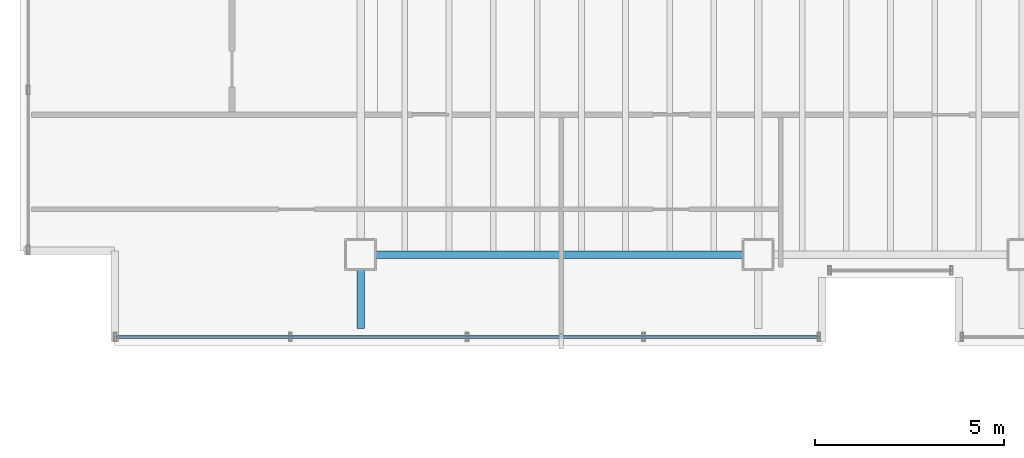
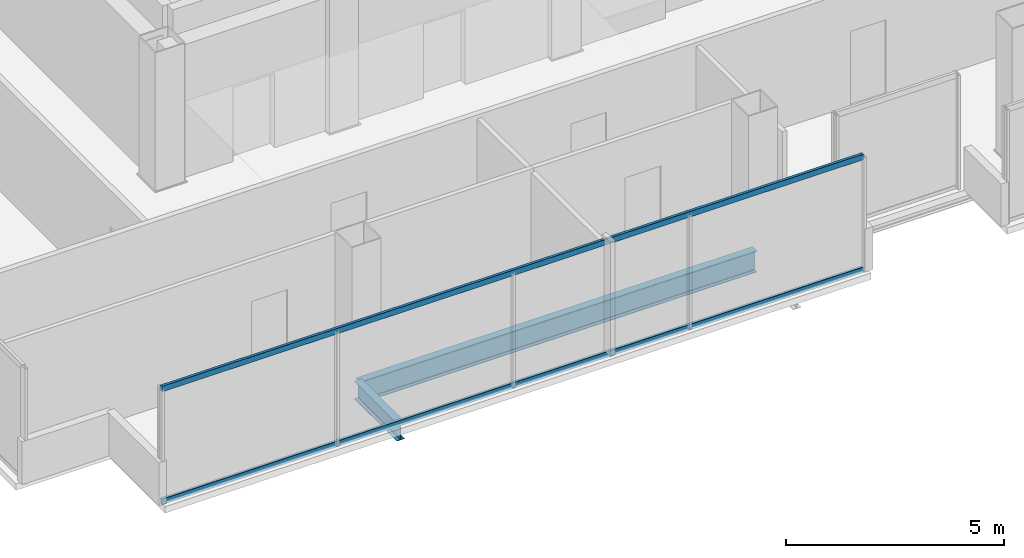
# One storey, part 3 of 17: 2 beams, 2 members, 1 element without a shape of its own.
"""IFC4 building model written with IfcOpenShell, lengths in metres."""

import ifcopenshell
import ifcopenshell.guid

model = None  # the IFC model being written
_history = None  # IfcOwnerHistory: only IFC2X3 demands one
_inside = {}  # id of a spatial element -> (the spatial element, [elements in it])
_under = {}  # id of a project, library or spatial element -> (it, [spatial elements below it])
_declared = {}  # id of a project -> (the project, [libraries it declares])
_typed = {}  # id of a type object -> (the type object, [elements of that type])
_made_of = {}  # id of a material, layer set ... -> (it, [elements and type objects made of it])


def new_model(schema):
    """Start an empty IFC model of exactly this schema.

    Asked for "IFC4X3", IfcOpenShell would pick the latest addendum, in which some entities
    have other attributes; the version numbers below select the first issue.
    IFC2X3 requires an IfcOwnerHistory on every rooted entity: one is made here for all.
    """
    global model, _history
    if schema == "IFC4X3":
        model = ifcopenshell.file(schema_version=(4, 3, 0, 0))
    else:
        model = ifcopenshell.file(schema=schema)
    _inside.clear()
    _under.clear()
    _declared.clear()
    _typed.clear()
    _made_of.clear()
    _history = None
    if model.schema == "IFC2X3":
        org = make("IfcOrganization", Name="unknown")
        user = make(
            "IfcPersonAndOrganization",
            ThePerson=make("IfcPerson", FamilyName="unknown"),
            TheOrganization=org,
        )
        app = make(
            "IfcApplication",
            ApplicationDeveloper=org,
            Version="unknown",
            ApplicationFullName="unknown",
            ApplicationIdentifier="unknown",
        )
        _history = make(
            "IfcOwnerHistory",
            OwningUser=user,
            OwningApplication=app,
            ChangeAction="ADDED",
            CreationDate=0,
        )
    return model


def make(cls, **values):
    """One entity of the class cls with the attributes given. An attribute that is None is left unset."""
    return model.create_entity(
        cls, **{name: value for name, value in values.items() if value is not None}
    )


def rooted(cls, **values):
    """An entity with a GlobalId (a new one), such as an element, a storey or a relation."""
    return make(cls, GlobalId=ifcopenshell.guid.new(), OwnerHistory=_history, **values)


def si_unit(unit_type, name, prefix=None):
    """IfcSIUnit, for example si_unit("LENGTHUNIT", "METRE", prefix="MILLI")."""
    return make("IfcSIUnit", UnitType=unit_type, Prefix=prefix, Name=name)


def assignment(units):
    """IfcUnitAssignment: the units of a project."""
    return None if units is None else make("IfcUnitAssignment", Units=units)


def point(xyz):
    """IfcCartesianPoint."""
    return None if xyz is None else make("IfcCartesianPoint", Coordinates=xyz)


def direction(xyz):
    """IfcDirection."""
    return None if xyz is None else make("IfcDirection", DirectionRatios=xyz)


def frame(location, z_axis=None, x_axis=None):
    """IfcAxis2Placement3D, a coordinate frame: its origin and axes. An axis left out is left unset."""
    return make(
        "IfcAxis2Placement3D",
        Location=point(location),
        Axis=direction(z_axis),
        RefDirection=direction(x_axis),
    )


def frame_2d(location, x_axis=None):
    """IfcAxis2Placement2D, a coordinate frame in the plane: its origin and x axis."""
    return make(
        "IfcAxis2Placement2D", Location=point(location), RefDirection=direction(x_axis)
    )


def origin():
    """The frame at (0, 0, 0) with its axes left unset."""
    return frame((0.0, 0.0, 0.0))


def origin_2d():
    """The frame at (0, 0) in the plane with its x axis left unset."""
    return frame_2d((0.0, 0.0))


def place(relative_to, where):
    """IfcLocalPlacement: puts the frame where relative to a parent placement (None: the world)."""
    return make(
        "IfcLocalPlacement", PlacementRelTo=relative_to, RelativePlacement=where
    )


def context(
    kind, dimensions, precision=None, world=None, true_north=None, identifier=None
):
    """IfcGeometricRepresentationContext, for example the 3D "Model" context."""
    return make(
        "IfcGeometricRepresentationContext",
        ContextIdentifier=identifier,
        ContextType=kind,
        CoordinateSpaceDimension=dimensions,
        Precision=precision,
        WorldCoordinateSystem=world,
        TrueNorth=true_north,
    )


def subcontext(parent, identifier, kind, view, scale=None):
    """IfcGeometricRepresentationSubContext, for example "Body" below "Model"."""
    return make(
        "IfcGeometricRepresentationSubContext",
        ContextIdentifier=identifier,
        ContextType=kind,
        ParentContext=parent,
        TargetScale=scale,
        TargetView=view,
    )


def project(units=None, contexts=None):
    """IfcProject with its units and contexts."""
    return rooted(
        "IfcProject",
        Name="project",
        RepresentationContexts=contexts,
        UnitsInContext=assignment(units),
    )


def spatial(cls, under=None, at=None, **own):
    """A site, building, storey or space (cls), placed at a placement, below another one or the project."""
    s = rooted(cls, ObjectPlacement=at, **own)
    if under is not None:
        _under.setdefault(under.id(), (under, []))[1].append(s)
    return s


def profile(cls, at=None, kind="AREA", **sizes):
    """A parametric profile (cls). Its sizes go by their IFC names, for example OverallWidth=200.0."""
    return make(cls, ProfileType=kind, Position=at, **sizes)


def hollow_rectangle(**sizes):
    """IfcRectangleHollowProfileDef."""
    return profile("IfcRectangleHollowProfileDef", **sizes)


def i_section(**sizes):
    """IfcIShapeProfileDef."""
    return profile("IfcIShapeProfileDef", **sizes)


def extrude(swept, where, along, depth):
    """IfcExtrudedAreaSolid: the profile swept, set in the frame where, extruded along a direction by depth."""
    return make(
        "IfcExtrudedAreaSolid",
        SweptArea=swept,
        Position=where,
        ExtrudedDirection=direction(along),
        Depth=depth,
    )


def shape(context_of_items, identifier, shape_type, items):
    """IfcShapeRepresentation: the items that make up one representation, for example the "Body"."""
    return make(
        "IfcShapeRepresentation",
        ContextOfItems=context_of_items,
        RepresentationIdentifier=identifier,
        RepresentationType=shape_type,
        Items=items,
    )


def material(Name=None, Category=None):
    """IfcMaterial."""
    return make("IfcMaterial", Name=Name, Category=Category)


def material_profile(
    of_material, cross_section, Name=None, Category=None, Priority=None
):
    """IfcMaterialProfile: a cross section and its material."""
    return make(
        "IfcMaterialProfile",
        Name=Name,
        Material=of_material,
        Profile=cross_section,
        Priority=Priority,
        Category=Category,
    )


def profile_set(profiles, Name=None, composite=None):
    """IfcMaterialProfileSet."""
    return make(
        "IfcMaterialProfileSet",
        Name=Name,
        MaterialProfiles=profiles,
        CompositeProfile=composite,
    )


def made_of(thing, what):
    """Note that an element or type object is made of a material, layer set ...; save() writes the relation."""
    if what is not None:
        _made_of.setdefault(what.id(), (what, []))[1].append(thing)
    return thing


def type_object(cls, material=None, **own):
    """A type object (cls), such as IfcWallType, which elements share."""
    return made_of(rooted(cls, **own), material)


def element(
    cls,
    number,
    at=None,
    inside=None,
    cuts=None,
    type_object=None,
    material=None,
    context=None,
    identifier="Body",
    shape_type=None,
    held_by="IfcProductDefinitionShape",
    body=None,
    shapes=None,
    **own,
):
    """One element of the class cls, such as IfcWall. Its Tag is "e" and its number.

    at: its placement. inside: the storey or other place that contains it. cuts: it is an
    opening in that element (IfcRelVoidsElement). A single representation is given by context,
    identifier, shape_type and body (its items); several are given by shapes. held_by: the class
    of the entity that holds the representations. save() writes the other relations.
    """
    e = rooted(cls, Tag="e%d" % number, ObjectPlacement=at, **own)
    if body is not None:
        shapes = [shape(context, identifier, shape_type, body)]
    if shapes is not None:
        e.Representation = make(held_by, Representations=shapes)
    if inside is not None:
        _inside.setdefault(inside.id(), (inside, []))[1].append(e)
    if cuts is not None:
        rooted(
            "IfcRelVoidsElement", RelatingBuildingElement=cuts, RelatedOpeningElement=e
        )
    if type_object is not None:
        _typed.setdefault(type_object.id(), (type_object, []))[1].append(e)
    return made_of(e, material)


def aggregate(whole, parts):
    """IfcRelAggregates: a whole, such as a stair, and the parts it consists of."""
    return rooted("IfcRelAggregates", RelatingObject=whole, RelatedObjects=parts)


def save(model, path):
    """Write the relations noted so far, then the file.

    IfcRelAggregates (storeys below a building ...), IfcRelContainedInSpatialStructure (elements
    in a storey), IfcRelDefinesByType, IfcRelAssociatesMaterial and IfcRelDeclares: one each for
    every whole, place, type object, material and project.
    """
    for whole, parts in _under.values():
        aggregate(whole, parts)
    for where, things in _inside.values():
        rooted(
            "IfcRelContainedInSpatialStructure",
            RelatedElements=things,
            RelatingStructure=where,
        )
    for kind, things in _typed.values():
        rooted("IfcRelDefinesByType", RelatedObjects=things, RelatingType=kind)
    for what, things in _made_of.values():
        rooted("IfcRelAssociatesMaterial", RelatedObjects=things, RelatingMaterial=what)
    for by, libraries in _declared.values():
        rooted("IfcRelDeclares", RelatingContext=by, RelatedDefinitions=libraries)
    model.write(path)


model = new_model("IFC4")

# Units and contexts
model_context = context("Model", 3, precision=1e-05, world=origin(), true_north=direction((0.0, 1.0)))
body_context = subcontext(model_context, "Body", "Model", "MODEL_VIEW")
ifc_project = project(units=[si_unit("LENGTHUNIT", "METRE"), si_unit("AREAUNIT", "SQUARE_METRE"), si_unit("VOLUMEUNIT", "CUBIC_METRE"), si_unit("PLANEANGLEUNIT", "RADIAN"), si_unit("MASSUNIT", "GRAM", prefix="KILO")], contexts=[model_context])

# Site, building, storey
site_placement = place(None, origin())
site = spatial("IfcSite", under=ifc_project, at=site_placement, CompositionType="ELEMENT")
building_placement = place(site_placement, origin())
building = spatial("IfcBuilding", under=site, at=building_placement, Name="Noeulbin Bourse Tower", CompositionType="ELEMENT")
storey_placement = place(building_placement, frame((0.0, 0.0, 261.800048828125)))
storey = spatial("IfcBuildingStorey", under=building, at=storey_placement, Name="L65", CompositionType="ELEMENT", Elevation=261.800048828125)

# Beams
ifc_material_1 = material(Name="Steel S355", Category="steel")
ifc_material_profile_1 = material_profile(ifc_material_1, i_section(OverallWidth=0.199951171875, OverallDepth=0.5, WebThickness=0.010009765625, FlangeThickness=0.01611328125, FilletRadius=0.02001953125, at=origin_2d()), Name="H-500x200x10x16", Category="LoadBearing")
ifc_profile_set_1 = profile_set([ifc_material_profile_1], Name="Steel S355")
beam_type_1 = type_object("IfcBeamType", Name="BM-GRD-500", PredefinedType="USERDEFINED", material=ifc_profile_set_1)
beam_1_placement = place(storey_placement, frame((13.5, 18.050048828125, -0.429931640625), z_axis=(0.0, 1.0, 0.0), x_axis=(-1.0, 0.0, 0.0)))
element("IfcBeam", 1, at=beam_1_placement, inside=storey, type_object=beam_type_1, Name="Tower Primary Girder NS L65-1.1", ObjectType="GIRDER", PredefinedType="USERDEFINED", context=body_context, shape_type="SweptSolid", body=[
    extrude(i_section(OverallWidth=0.199951171875, OverallDepth=0.5, WebThickness=0.010009765625, FlangeThickness=0.01611328125, FilletRadius=0.02001953125, at=origin_2d()), origin(), (0.0, 0.0, 1.0), 1.949951171875),
])
ifc_material_profile_2 = material_profile(ifc_material_1, i_section(OverallWidth=0.199951171875, OverallDepth=0.60009765625, WebThickness=0.010986328125, FlangeThickness=0.01708984375, FilletRadius=0.02197265625, at=origin_2d()), Name="H-600x200x11x17", Category="LoadBearing")
ifc_profile_set_2 = profile_set([ifc_material_profile_2], Name="Steel S355")
beam_type_2 = type_object("IfcBeamType", Name="BM-GRD-600", PredefinedType="USERDEFINED", material=ifc_profile_set_2)
beam_2_placement = place(storey_placement, frame((13.5, 20.0, -0.47998046875), z_axis=(1.0, 0.0, 0.0), x_axis=(0.0, 1.0, 0.0)))
element("IfcBeam", 2, at=beam_2_placement, inside=storey, type_object=beam_type_2, Name="Tower Primary Girder EW L65-1.1", ObjectType="GIRDER", PredefinedType="USERDEFINED", context=body_context, shape_type="SweptSolid", body=[
    extrude(i_section(OverallWidth=0.199951171875, OverallDepth=0.60009765625, WebThickness=0.010986328125, FlangeThickness=0.01708984375, FilletRadius=0.02197265625, at=origin_2d()), origin(), (0.0, 0.0, 1.0), 10.5),
])

# Curtain wall, members
ifc_material_2 = material(Name="High-Selectivity Low-Iron Glazing", Category="glass")
curtain_wall_type = type_object("IfcCurtainWallType", Name="CW-SYS-4", PredefinedType="NOTDEFINED", material=ifc_material_2)
curtain_wall_placement = place(storey_placement, origin())
curtain_wall = element("IfcCurtainWall", 3, at=curtain_wall_placement, inside=storey, type_object=curtain_wall_type, Name="Unitised Curtain Wall CW-L65-S1", PredefinedType="NOTDEFINED")
ifc_material_3 = material(Name="Anodised Aluminium 6063-T6", Category="aluminium")
ifc_material_profile_3 = material_profile(ifc_material_3, hollow_rectangle(XDim=0.074951171875, YDim=0.159912109375, WallThickness=0.0048828125, InnerFilletRadius=0.00244140625, OuterFilletRadius=0.0048828125, at=origin_2d()), Name="ALU-TRAN-75x160x5", Category="LoadBearing")
ifc_profile_set_3 = profile_set([ifc_material_profile_3], Name="Anodised Aluminium 6063-T6")
member_type = type_object("IfcMemberType", Name="CW-SYS-4-TRN", PredefinedType="USERDEFINED", material=ifc_profile_set_3)
member_1_placement = place(storey_placement, frame((7.030029296875, 17.820068359375, 0.010009765625), z_axis=(1.0, 0.0, 0.0), x_axis=(0.0, 1.0, 0.0)))
member_1 = element("IfcMember", 4, at=member_1_placement, type_object=member_type, Name="Curtain Wall Transom CW-L65-S1-T00", ObjectType="TRANSOM", PredefinedType="USERDEFINED", context=body_context, shape_type="SweptSolid", body=[
    extrude(hollow_rectangle(XDim=0.074951171875, YDim=0.159912109375, WallThickness=0.0048828125, InnerFilletRadius=0.00244140625, OuterFilletRadius=0.0048828125, at=origin_2d()), origin(), (0.0, 0.0, 1.0), 18.570068359375),
])
member_2_placement = place(storey_placement, frame((7.030029296875, 17.820068359375, 3.169921875), z_axis=(1.0, 0.0, 0.0), x_axis=(0.0, 1.0, 0.0)))
member_2 = element("IfcMember", 5, at=member_2_placement, type_object=member_type, Name="Curtain Wall Transom CW-L65-S1-T01", ObjectType="TRANSOM", PredefinedType="USERDEFINED", context=body_context, shape_type="SweptSolid", body=[
    extrude(hollow_rectangle(XDim=0.074951171875, YDim=0.159912109375, WallThickness=0.0048828125, InnerFilletRadius=0.00244140625, OuterFilletRadius=0.0048828125, at=origin_2d()), origin(), (0.0, 0.0, 1.0), 18.570068359375),
])
aggregate(curtain_wall, [member_1, member_2])

save(model, "model.ifc")
